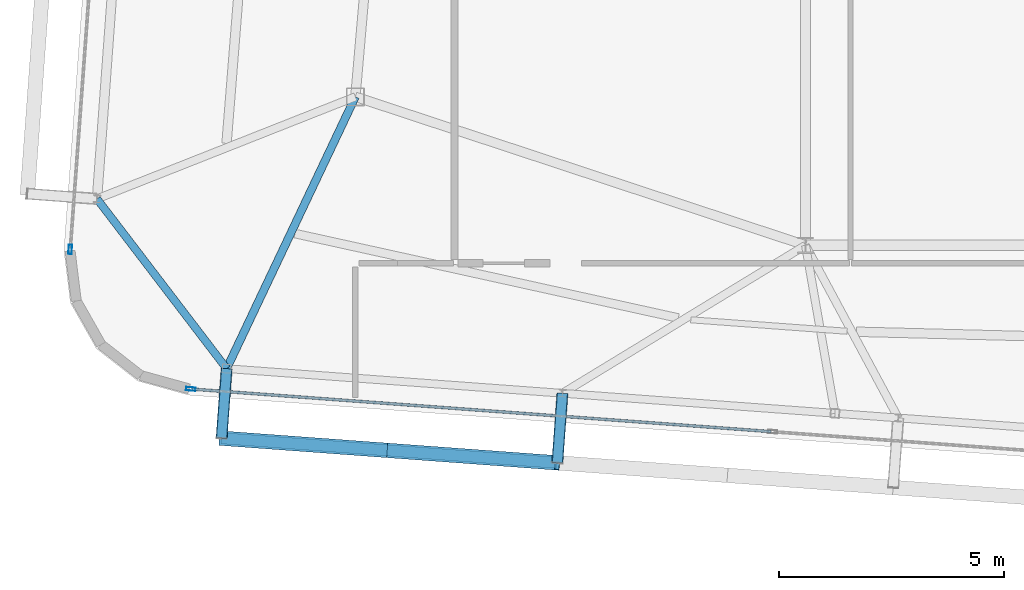
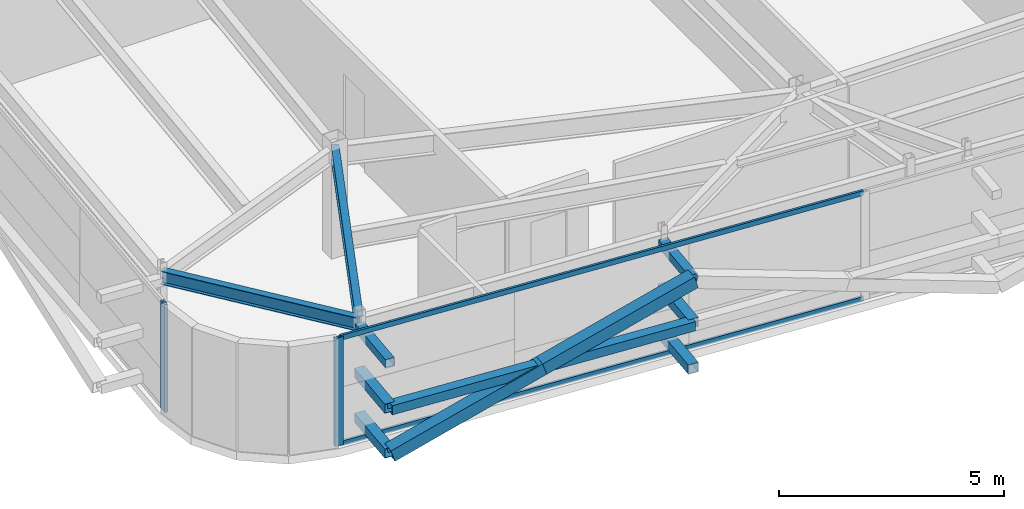
# One storey, part 9 of 34: 13 members, 2 beams, 2 elements without a shape of their own.
"""IFC4 building model written with IfcOpenShell, lengths in metres."""

import ifcopenshell
import ifcopenshell.guid

model = None  # the IFC model being written
_history = None  # IfcOwnerHistory: only IFC2X3 demands one
_inside = {}  # id of a spatial element -> (the spatial element, [elements in it])
_under = {}  # id of a project, library or spatial element -> (it, [spatial elements below it])
_declared = {}  # id of a project -> (the project, [libraries it declares])
_typed = {}  # id of a type object -> (the type object, [elements of that type])
_made_of = {}  # id of a material, layer set ... -> (it, [elements and type objects made of it])


def new_model(schema):
    """Start an empty IFC model of exactly this schema.

    Asked for "IFC4X3", IfcOpenShell would pick the latest addendum, in which some entities
    have other attributes; the version numbers below select the first issue.
    IFC2X3 requires an IfcOwnerHistory on every rooted entity: one is made here for all.
    """
    global model, _history
    if schema == "IFC4X3":
        model = ifcopenshell.file(schema_version=(4, 3, 0, 0))
    else:
        model = ifcopenshell.file(schema=schema)
    _inside.clear()
    _under.clear()
    _declared.clear()
    _typed.clear()
    _made_of.clear()
    _history = None
    if model.schema == "IFC2X3":
        org = make("IfcOrganization", Name="unknown")
        user = make(
            "IfcPersonAndOrganization",
            ThePerson=make("IfcPerson", FamilyName="unknown"),
            TheOrganization=org,
        )
        app = make(
            "IfcApplication",
            ApplicationDeveloper=org,
            Version="unknown",
            ApplicationFullName="unknown",
            ApplicationIdentifier="unknown",
        )
        _history = make(
            "IfcOwnerHistory",
            OwningUser=user,
            OwningApplication=app,
            ChangeAction="ADDED",
            CreationDate=0,
        )
    return model


def make(cls, **values):
    """One entity of the class cls with the attributes given. An attribute that is None is left unset."""
    return model.create_entity(
        cls, **{name: value for name, value in values.items() if value is not None}
    )


def rooted(cls, **values):
    """An entity with a GlobalId (a new one), such as an element, a storey or a relation."""
    return make(cls, GlobalId=ifcopenshell.guid.new(), OwnerHistory=_history, **values)


def si_unit(unit_type, name, prefix=None):
    """IfcSIUnit, for example si_unit("LENGTHUNIT", "METRE", prefix="MILLI")."""
    return make("IfcSIUnit", UnitType=unit_type, Prefix=prefix, Name=name)


def assignment(units):
    """IfcUnitAssignment: the units of a project."""
    return None if units is None else make("IfcUnitAssignment", Units=units)


def point(xyz):
    """IfcCartesianPoint."""
    return None if xyz is None else make("IfcCartesianPoint", Coordinates=xyz)


def direction(xyz):
    """IfcDirection."""
    return None if xyz is None else make("IfcDirection", DirectionRatios=xyz)


def frame(location, z_axis=None, x_axis=None):
    """IfcAxis2Placement3D, a coordinate frame: its origin and axes. An axis left out is left unset."""
    return make(
        "IfcAxis2Placement3D",
        Location=point(location),
        Axis=direction(z_axis),
        RefDirection=direction(x_axis),
    )


def frame_2d(location, x_axis=None):
    """IfcAxis2Placement2D, a coordinate frame in the plane: its origin and x axis."""
    return make(
        "IfcAxis2Placement2D", Location=point(location), RefDirection=direction(x_axis)
    )


def origin():
    """The frame at (0, 0, 0) with its axes left unset."""
    return frame((0.0, 0.0, 0.0))


def origin_2d():
    """The frame at (0, 0) in the plane with its x axis left unset."""
    return frame_2d((0.0, 0.0))


def place(relative_to, where):
    """IfcLocalPlacement: puts the frame where relative to a parent placement (None: the world)."""
    return make(
        "IfcLocalPlacement", PlacementRelTo=relative_to, RelativePlacement=where
    )


def context(
    kind, dimensions, precision=None, world=None, true_north=None, identifier=None
):
    """IfcGeometricRepresentationContext, for example the 3D "Model" context."""
    return make(
        "IfcGeometricRepresentationContext",
        ContextIdentifier=identifier,
        ContextType=kind,
        CoordinateSpaceDimension=dimensions,
        Precision=precision,
        WorldCoordinateSystem=world,
        TrueNorth=true_north,
    )


def subcontext(parent, identifier, kind, view, scale=None):
    """IfcGeometricRepresentationSubContext, for example "Body" below "Model"."""
    return make(
        "IfcGeometricRepresentationSubContext",
        ContextIdentifier=identifier,
        ContextType=kind,
        ParentContext=parent,
        TargetScale=scale,
        TargetView=view,
    )


def project(units=None, contexts=None):
    """IfcProject with its units and contexts."""
    return rooted(
        "IfcProject",
        Name="project",
        RepresentationContexts=contexts,
        UnitsInContext=assignment(units),
    )


def spatial(cls, under=None, at=None, **own):
    """A site, building, storey or space (cls), placed at a placement, below another one or the project."""
    s = rooted(cls, ObjectPlacement=at, **own)
    if under is not None:
        _under.setdefault(under.id(), (under, []))[1].append(s)
    return s


def profile(cls, at=None, kind="AREA", **sizes):
    """A parametric profile (cls). Its sizes go by their IFC names, for example OverallWidth=200.0."""
    return make(cls, ProfileType=kind, Position=at, **sizes)


def hollow_rectangle(**sizes):
    """IfcRectangleHollowProfileDef."""
    return profile("IfcRectangleHollowProfileDef", **sizes)


def i_section(**sizes):
    """IfcIShapeProfileDef."""
    return profile("IfcIShapeProfileDef", **sizes)


def extrude(swept, where, along, depth):
    """IfcExtrudedAreaSolid: the profile swept, set in the frame where, extruded along a direction by depth."""
    return make(
        "IfcExtrudedAreaSolid",
        SweptArea=swept,
        Position=where,
        ExtrudedDirection=direction(along),
        Depth=depth,
    )


def shape(context_of_items, identifier, shape_type, items):
    """IfcShapeRepresentation: the items that make up one representation, for example the "Body"."""
    return make(
        "IfcShapeRepresentation",
        ContextOfItems=context_of_items,
        RepresentationIdentifier=identifier,
        RepresentationType=shape_type,
        Items=items,
    )


def source(mapping_origin, context_of_items, identifier, shape_type, items):
    """IfcRepresentationMap: a shape defined once, which mapped items show again and again."""
    return make(
        "IfcRepresentationMap",
        MappingOrigin=mapping_origin,
        MappedRepresentation=shape(context_of_items, identifier, shape_type, items),
    )


def transform(
    local_origin,
    x_axis=None,
    y_axis=None,
    z_axis=None,
    scale=None,
    scale2=None,
    scale3=None,
    uniform=True,
):
    """IfcCartesianTransformationOperator3D, or its non-uniform kind. x_axis, y_axis, z_axis: its Axis1, 2, 3."""
    if uniform:
        return make(
            "IfcCartesianTransformationOperator3D",
            Axis1=direction(x_axis),
            Axis2=direction(y_axis),
            LocalOrigin=point(local_origin),
            Scale=scale,
            Axis3=direction(z_axis),
        )
    return make(
        "IfcCartesianTransformationOperator3DnonUniform",
        Axis1=direction(x_axis),
        Axis2=direction(y_axis),
        LocalOrigin=point(local_origin),
        Scale=scale,
        Axis3=direction(z_axis),
        Scale2=scale2,
        Scale3=scale3,
    )


def mapped(mapping_source, mapping_target):
    """IfcMappedItem: shows the shape of a source again, moved by a transform."""
    return make(
        "IfcMappedItem", MappingSource=mapping_source, MappingTarget=mapping_target
    )


def material(Name=None, Category=None):
    """IfcMaterial."""
    return make("IfcMaterial", Name=Name, Category=Category)


def layer(
    of_material, thickness, ventilated=None, Name=None, Category=None, Priority=None
):
    """IfcMaterialLayer: one layer of a wall or slab, of a material (None: an air gap)."""
    return make(
        "IfcMaterialLayer",
        Material=of_material,
        LayerThickness=thickness,
        IsVentilated=ventilated,
        Name=Name,
        Category=Category,
        Priority=Priority,
    )


def layer_set(layers, Name=None):
    """IfcMaterialLayerSet."""
    return make("IfcMaterialLayerSet", MaterialLayers=layers, LayerSetName=Name)


def material_profile(
    of_material, cross_section, Name=None, Category=None, Priority=None
):
    """IfcMaterialProfile: a cross section and its material."""
    return make(
        "IfcMaterialProfile",
        Name=Name,
        Material=of_material,
        Profile=cross_section,
        Priority=Priority,
        Category=Category,
    )


def profile_set(profiles, Name=None, composite=None):
    """IfcMaterialProfileSet."""
    return make(
        "IfcMaterialProfileSet",
        Name=Name,
        MaterialProfiles=profiles,
        CompositeProfile=composite,
    )


def made_of(thing, what):
    """Note that an element or type object is made of a material, layer set ...; save() writes the relation."""
    if what is not None:
        _made_of.setdefault(what.id(), (what, []))[1].append(thing)
    return thing


def type_object(cls, material=None, **own):
    """A type object (cls), such as IfcWallType, which elements share."""
    return made_of(rooted(cls, **own), material)


def element(
    cls,
    number,
    at=None,
    inside=None,
    cuts=None,
    type_object=None,
    material=None,
    context=None,
    identifier="Body",
    shape_type=None,
    held_by="IfcProductDefinitionShape",
    body=None,
    shapes=None,
    **own,
):
    """One element of the class cls, such as IfcWall. Its Tag is "e" and its number.

    at: its placement. inside: the storey or other place that contains it. cuts: it is an
    opening in that element (IfcRelVoidsElement). A single representation is given by context,
    identifier, shape_type and body (its items); several are given by shapes. held_by: the class
    of the entity that holds the representations. save() writes the other relations.
    """
    e = rooted(cls, Tag="e%d" % number, ObjectPlacement=at, **own)
    if body is not None:
        shapes = [shape(context, identifier, shape_type, body)]
    if shapes is not None:
        e.Representation = make(held_by, Representations=shapes)
    if inside is not None:
        _inside.setdefault(inside.id(), (inside, []))[1].append(e)
    if cuts is not None:
        rooted(
            "IfcRelVoidsElement", RelatingBuildingElement=cuts, RelatedOpeningElement=e
        )
    if type_object is not None:
        _typed.setdefault(type_object.id(), (type_object, []))[1].append(e)
    return made_of(e, material)


def aggregate(whole, parts):
    """IfcRelAggregates: a whole, such as a stair, and the parts it consists of."""
    return rooted("IfcRelAggregates", RelatingObject=whole, RelatedObjects=parts)


def save(model, path):
    """Write the relations noted so far, then the file.

    IfcRelAggregates (storeys below a building ...), IfcRelContainedInSpatialStructure (elements
    in a storey), IfcRelDefinesByType, IfcRelAssociatesMaterial and IfcRelDeclares: one each for
    every whole, place, type object, material and project.
    """
    for whole, parts in _under.values():
        aggregate(whole, parts)
    for where, things in _inside.values():
        rooted(
            "IfcRelContainedInSpatialStructure",
            RelatedElements=things,
            RelatingStructure=where,
        )
    for kind, things in _typed.values():
        rooted("IfcRelDefinesByType", RelatedObjects=things, RelatingType=kind)
    for what, things in _made_of.values():
        rooted("IfcRelAssociatesMaterial", RelatedObjects=things, RelatingMaterial=what)
    for by, libraries in _declared.values():
        rooted("IfcRelDeclares", RelatingContext=by, RelatedDefinitions=libraries)
    model.write(path)


model = new_model("IFC4")

# Units and contexts
model_context = context("Model", 3, precision=1e-05, world=origin(), true_north=direction((0.0, 1.0)))
body_context = subcontext(model_context, "Body", "Model", "MODEL_VIEW")
ifc_project = project(units=[si_unit("LENGTHUNIT", "METRE"), si_unit("AREAUNIT", "SQUARE_METRE"), si_unit("VOLUMEUNIT", "CUBIC_METRE"), si_unit("PLANEANGLEUNIT", "RADIAN"), si_unit("MASSUNIT", "GRAM", prefix="KILO")], contexts=[model_context])

# Site, building, storey
site_placement = place(None, origin())
site = spatial("IfcSite", under=ifc_project, at=site_placement, CompositionType="ELEMENT")
building_placement = place(site_placement, origin())
building = spatial("IfcBuilding", under=site, at=building_placement, Name="Taldren Reach Tower", CompositionType="ELEMENT")
storey_placement = place(building_placement, frame((0.0, 0.0, 242.89990234375)))
storey = spatial("IfcBuildingStorey", under=building, at=storey_placement, Name="L74", CompositionType="ELEMENT", Elevation=242.89990234375)

# Members
ifc_material_1 = material(Name="Steel Gr 350 (C350L0)", Category="steel")
ifc_material_profile_1 = material_profile(ifc_material_1, hollow_rectangle(XDim=0.25, YDim=0.25, WallThickness=0.010009765625, at=origin_2d()), Name="250x250x10.0SHS")
ifc_profile_set_1 = profile_set([ifc_material_profile_1], Name="Steel Gr 350 (C350L0)")
member_type_1 = type_object("IfcMemberType", Name="MB-POST250", PredefinedType="POST", material=ifc_profile_set_1)
shared_shape_1 = source(origin(), body_context, "Body", "SweptSolid", [
    extrude(hollow_rectangle(XDim=0.25, YDim=0.25, WallThickness=0.010009765625, at=origin_2d()), origin(), (0.0, 0.0, 1.0), 1.5498046875),
])
for number, where, z_axis, x_axis, name in (
    (1, (22.6005859375, 5.912353515625, 0.22021484375), (-0.073250797913, -0.997313551801, 0.0), (0.997313551801, -0.073250797913, 0.0), "Exoskeleton base diaphragm tie strut B5-S2 L74"),
    (2, (22.6005859375, 5.912353515625, 1.43505859375), (-0.073250797913, -0.997313551801, 0.0), (0.997313551801, -0.073250797913, 0.0), "Exoskeleton mid-tier diaphragm tie B5-S2 L74"),
):
    element("IfcMember", number, at=place(storey_placement, frame(where, z_axis=z_axis, x_axis=x_axis)), inside=storey, type_object=member_type_1, Name=name, PredefinedType="POST", context=body_context, shape_type="MappedRepresentation", body=[
        mapped(shared_shape_1, transform((0.0, 0.0, 0.0), scale=1.0)),
    ])
shared_shape_2 = source(origin(), body_context, "Body", "SweptSolid", [
    extrude(hollow_rectangle(XDim=0.25, YDim=0.25, WallThickness=0.010009765625, at=origin_2d()), origin(), (0.0, 0.0, 1.0), 1.550048828125),
])
for number, where, z_axis, x_axis, name in (
    (3, (15.140625, 6.460205078125, 0.22021484375), (-0.07323929162, -0.997314396849, 0.0), (0.997314396849, -0.07323929162, 0.0), "Exoskeleton base diaphragm tie strut B5-S1 L74"),
    (4, (15.140625, 6.460205078125, 1.43505859375), (-0.07323929162, -0.997314396849, 0.0), (0.997314396849, -0.07323929162, 0.0), "Exoskeleton mid-tier diaphragm tie B5-S1 L74"),
):
    element("IfcMember", number, at=place(storey_placement, frame(where, z_axis=z_axis, x_axis=x_axis)), inside=storey, type_object=member_type_1, Name=name, PredefinedType="POST", context=body_context, shape_type="MappedRepresentation", body=[
        mapped(shared_shape_2, transform((0.0, 0.0, 0.0), scale=1.0)),
    ])
ifc_material_2 = material(Name="Steel Gr 450 (C450L0)", Category="steel")
ifc_material_profile_2 = material_profile(ifc_material_2, hollow_rectangle(XDim=0.219970703125, YDim=0.219970703125, WallThickness=0.00830078125, at=origin_2d()), Name="220x220x8.2SHS")
ifc_profile_set_2 = profile_set([ifc_material_profile_2], Name="Steel Gr 450 (C450L0)")
member_type_2 = type_object("IfcMemberType", Name="MB-TIE219", PredefinedType="STRUT", material=ifc_profile_set_2)
shared_shape_3 = source(origin(), body_context, "Body", "SweptSolid", [
    extrude(hollow_rectangle(XDim=0.219970703125, YDim=0.219970703125, WallThickness=0.00830078125, at=origin_2d()), origin(), (0.0, 0.0, 1.0), 1.5498046875),
])
member_1_placement = place(storey_placement, frame((22.6005859375, 5.912353515625, 2.650146484375), z_axis=(-0.073250797913, -0.997313551801, 0.0), x_axis=(0.997313551801, -0.073250797913, 0.0)))
element("IfcMember", 5, at=member_1_placement, inside=storey, type_object=member_type_2, Name="Exoskeleton diaphragm tie strut B5-S2 L74", PredefinedType="STRUT", context=body_context, shape_type="MappedRepresentation", body=[
    mapped(shared_shape_3, transform((0.0, 0.0, 0.0), scale=1.0)),
])
shared_shape_4 = source(origin(), body_context, "Body", "SweptSolid", [
    extrude(hollow_rectangle(XDim=0.219970703125, YDim=0.219970703125, WallThickness=0.00830078125, at=origin_2d()), origin(), (0.0, 0.0, 1.0), 1.550048828125),
])
member_2_placement = place(storey_placement, frame((15.140625, 6.460205078125, 2.650146484375), z_axis=(-0.07323929162, -0.997314396849, 0.0), x_axis=(0.997314396849, -0.07323929162, 0.0)))
element("IfcMember", 6, at=member_2_placement, inside=storey, type_object=member_type_2, Name="Exoskeleton diaphragm tie strut B5-S1 L74", PredefinedType="STRUT", context=body_context, shape_type="MappedRepresentation", body=[
    mapped(shared_shape_4, transform((0.0, 0.0, 0.0), scale=1.0)),
])

# Beams
ifc_material_3 = material(Name="Steel Gr 350 (350PLUS)", Category="steel")
ifc_material_profile_3 = material_profile(ifc_material_3, i_section(OverallWidth=0.172119140625, OverallDepth=0.35888671875, WebThickness=0.008056640625, FlangeThickness=0.012939453125, at=origin_2d()), Name="360UB56.7")
ifc_profile_set_3 = profile_set([ifc_material_profile_3], Name="Steel Gr 350 (350PLUS)")
beam_type_1 = type_object("IfcBeamType", Name="SP-UB360", PredefinedType="SPANDREL", material=ifc_profile_set_3)
shared_shape_5 = source(origin(), body_context, "Body", "SweptSolid", [
    extrude(i_section(OverallWidth=0.172119140625, OverallDepth=0.35888671875, WebThickness=0.008056640625, FlangeThickness=0.012939453125, at=origin_2d()), origin(), (0.0, 0.0, 1.0), 4.74609375),
])
beam_1_placement = place(storey_placement, frame((12.259033203125, 10.2314453125, 2.75048828125), z_axis=(0.607144568334, -0.794591387533, 0.0), x_axis=(0.794591387533, 0.607144568334, 0.0)))
element("IfcBeam", 7, at=beam_1_placement, inside=storey, type_object=beam_type_1, Name="Perimeter spandrel B5 W1-S1 L74", PredefinedType="SPANDREL", context=body_context, shape_type="MappedRepresentation", body=[
    mapped(shared_shape_5, transform((0.0, 0.0, 0.0), scale=1.0)),
])
ifc_material_profile_4 = material_profile(ifc_material_3, i_section(OverallWidth=0.177978515625, OverallDepth=0.406005859375, WebThickness=0.0078125, FlangeThickness=0.0126953125, at=origin_2d()), Name="410UB59.7")
ifc_profile_set_4 = profile_set([ifc_material_profile_4], Name="Steel Gr 350 (350PLUS)")
beam_type_2 = type_object("IfcBeamType", Name="BM-UB410", PredefinedType="BEAM", material=ifc_profile_set_4)
shared_shape_6 = source(origin(), body_context, "Body", "SweptSolid", [
    extrude(i_section(OverallWidth=0.177978515625, OverallDepth=0.406005859375, WebThickness=0.0078125, FlangeThickness=0.0126953125, at=origin_2d()), origin(), (0.0, 0.0, 1.0), 6.682373046875),
])
beam_2_placement = place(storey_placement, frame((18.0, 12.5, 2.72705078125), z_axis=(-0.427893164494, -0.903829320049, 0.0), x_axis=(0.903829320049, -0.427893164494, 0.0)))
element("IfcBeam", 8, at=beam_2_placement, inside=storey, type_object=beam_type_2, Name="Primary floor girder B5-S1 L74", PredefinedType="BEAM", context=body_context, shape_type="MappedRepresentation", body=[
    mapped(shared_shape_6, transform((0.0, 0.0, 0.0), scale=1.0)),
])

# Members
ifc_material_profile_5 = material_profile(ifc_material_2, hollow_rectangle(XDim=0.324951171875, YDim=0.324951171875, WallThickness=0.0126953125, at=origin_2d()), Name="325x325x12.7SHS")
ifc_profile_set_5 = profile_set([ifc_material_profile_5], Name="Steel Gr 450 (C450L0)")
member_type_3 = type_object("IfcMemberType", Name="MB-BR324", PredefinedType="BRACE", material=ifc_profile_set_5)
shared_shape_7 = source(origin(), body_context, "Body", "SweptSolid", [
    extrude(hollow_rectangle(XDim=0.324951171875, YDim=0.324951171875, WallThickness=0.0126953125, at=origin_2d()), origin(), (0.0, 0.0, 1.0), 3.932373046875),
])
for number, where, z_axis, x_axis, name in (
    (9, (15.027099609375, 4.914306640625, 0.22021484375), (0.948529326954, -0.06965898055, 0.308933232813), (0.07324169103, 0.997314220642, 0.0), "Exoskeleton Diagrid Brace B5-S1 L74"),
    (10, (18.757080078125, 4.640380859375, 1.43505859375), (0.948515232963, -0.069595861772, 0.308990726172), (0.073176762938, 0.997318986767, 0.0), "Exoskeleton Diagrid Brace B5-S1 L74"),
):
    element("IfcMember", number, at=place(storey_placement, frame(where, z_axis=z_axis, x_axis=x_axis)), inside=storey, type_object=member_type_3, Name=name, PredefinedType="BRACE", context=body_context, shape_type="MappedRepresentation", body=[
        mapped(shared_shape_7, transform((0.0, 0.0, 0.0), scale=1.0)),
    ])
shared_shape_8 = source(origin(), body_context, "Body", "SweptSolid", [
    extrude(hollow_rectangle(XDim=0.25, YDim=0.25, WallThickness=0.010009765625, at=origin_2d()), origin(), (0.0, 0.0, 1.0), 7.47998046875),
])
member_3_placement = place(storey_placement, frame((15.027099609375, 4.914306640625, 1.43505859375), z_axis=(0.997316604227, -0.0732092271, 0.0), x_axis=(0.0732092271, 0.997316604227, 0.0)))
element("IfcMember", 11, at=member_3_placement, inside=storey, type_object=member_type_1, Name="Exoskeleton mid-height ring chord B5-S1 L74", PredefinedType="POST", context=body_context, shape_type="MappedRepresentation", body=[
    mapped(shared_shape_8, transform((0.0, 0.0, 0.0), scale=1.0)),
])

# Curtain wall, member
ifc_material_4 = material(Name="Aluminium and Low-E Glass Unitised System", Category="aluminium")
ifc_layer = layer(ifc_material_4, 0.159912109375)
ifc_layer_set = layer_set([ifc_layer], Name="Aluminium and Low-E Glass Unitised System")
curtain_wall_type = type_object("IfcCurtainWallType", Name="CW-SYS-6", PredefinedType="NOTDEFINED", material=ifc_layer_set)
curtain_wall_1_placement = place(storey_placement, origin())
curtain_wall_1 = element("IfcCurtainWall", 12, at=curtain_wall_1_placement, inside=storey, type_object=curtain_wall_type, Name="Unitised curtain wall CW-L74-S", PredefinedType="NOTDEFINED")
ifc_material_5 = material(Name="Anodised Aluminium 6063-T6", Category="aluminium")
ifc_material_profile_6 = material_profile(ifc_material_5, hollow_rectangle(XDim=0.074951171875, YDim=0.2099609375, WallThickness=0.00439453125, at=origin_2d()), Name="ALU-210x75x4.5RHS")
ifc_profile_set_6 = profile_set([ifc_material_profile_6], Name="Anodised Aluminium 6063-T6")
member_type_4 = type_object("IfcMemberType", Name="CW-MUL-200", PredefinedType="MULLION", material=ifc_profile_set_6)
shared_shape_9 = source(origin(), body_context, "Body", "SweptSolid", [
    extrude(hollow_rectangle(XDim=0.074951171875, YDim=0.2099609375, WallThickness=0.00439453125, at=origin_2d()), origin(), (0.0, 0.0, 1.0), 2.93017578125),
])
member_4_placement = place(storey_placement, frame((14.3427734375, 6.007568359375, 0.0), z_axis=(0.0, 0.0, 1.0), x_axis=(0.073238213716, 0.997314476006, 0.0)))
member_4 = element("IfcMember", 13, at=member_4_placement, type_object=member_type_4, Name="CW-6 mullion 1", PredefinedType="MULLION", context=body_context, shape_type="MappedRepresentation", body=[
    mapped(shared_shape_9, transform((0.0, 0.0, 0.0), scale=1.0)),
])

curtain_wall_2_placement = place(storey_placement, origin())
curtain_wall_2 = element("IfcCurtainWall", 14, at=curtain_wall_2_placement, inside=storey, type_object=curtain_wall_type, Name="Unitised curtain wall CW-L74-W", PredefinedType="NOTDEFINED")
member_5_placement = place(storey_placement, frame((11.665283203125, 9.109375, 0.0), z_axis=(0.0, 0.0, 1.0), x_axis=(0.997314470951, -0.073238282558, 0.0)))
member_5 = element("IfcMember", 15, at=member_5_placement, type_object=member_type_4, Name="CW-6 mullion 3", PredefinedType="MULLION", context=body_context, shape_type="MappedRepresentation", body=[
    mapped(shared_shape_9, transform((0.0, 0.0, 0.0), scale=1.0)),
])
aggregate(curtain_wall_2, [member_5])

# Member
ifc_material_profile_7 = material_profile(ifc_material_5, hollow_rectangle(XDim=0.06005859375, YDim=0.135009765625, WallThickness=0.00341796875, at=origin_2d()), Name="ALU-135x60x3.5RHS")
ifc_profile_set_7 = profile_set([ifc_material_profile_7], Name="Anodised Aluminium 6063-T6")
member_type_5 = type_object("IfcMemberType", Name="CW-TRN-150", PredefinedType="USERDEFINED", material=ifc_profile_set_7)
shared_shape_10 = source(origin(), body_context, "Body", "SweptSolid", [
    extrude(hollow_rectangle(XDim=0.06005859375, YDim=0.135009765625, WallThickness=0.00341796875, at=origin_2d()), origin(), (0.0, 0.0, 1.0), 12.887451171875),
])
member_6_placement = place(storey_placement, frame((14.38037109375, 6.004638671875, 0.030029296875), z_axis=(0.997314487101, -0.07323806263, 0.0), x_axis=(0.07323806263, 0.997314487101, 0.0)))
member_6 = element("IfcMember", 16, at=member_6_placement, type_object=member_type_5, Name="CW-6 transom 1.1", ObjectType="TRANSOM", PredefinedType="USERDEFINED", context=body_context, shape_type="MappedRepresentation", body=[
    mapped(shared_shape_10, transform((0.0, 0.0, 0.0), scale=1.0)),
])

member_7_placement = place(storey_placement, frame((14.38037109375, 6.004638671875, 2.900146484375), z_axis=(0.997314487101, -0.07323806263, 0.0), x_axis=(0.07323806263, 0.997314487101, 0.0)))
member_7 = element("IfcMember", 17, at=member_7_placement, type_object=member_type_5, Name="CW-6 transom 1.2", ObjectType="TRANSOM", PredefinedType="USERDEFINED", context=body_context, shape_type="MappedRepresentation", body=[
    mapped(shared_shape_10, transform((0.0, 0.0, 0.0), scale=1.0)),
])

aggregate(curtain_wall_1, [member_4, member_6, member_7])

save(model, "model.ifc")
